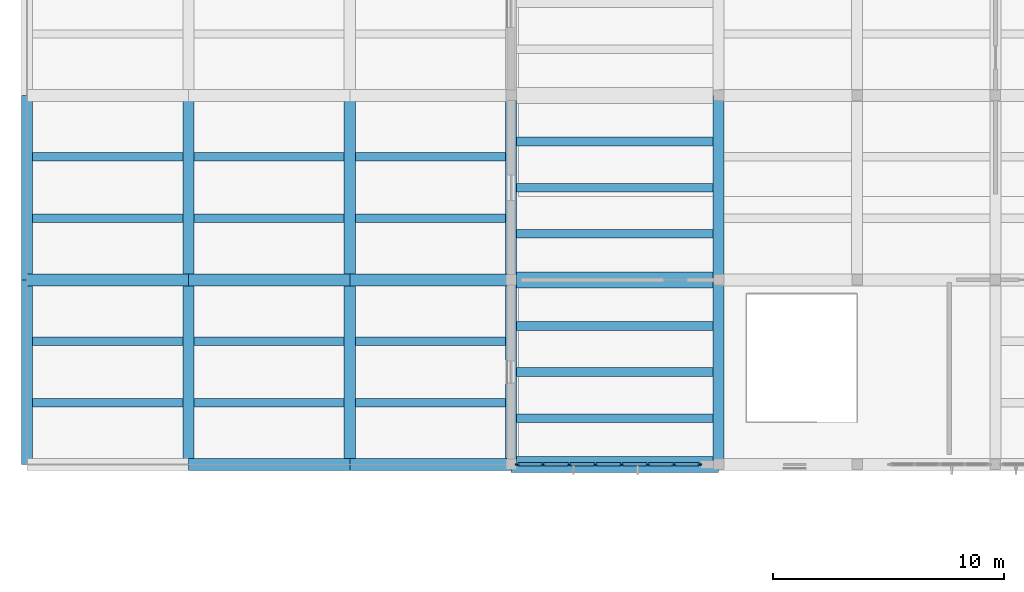
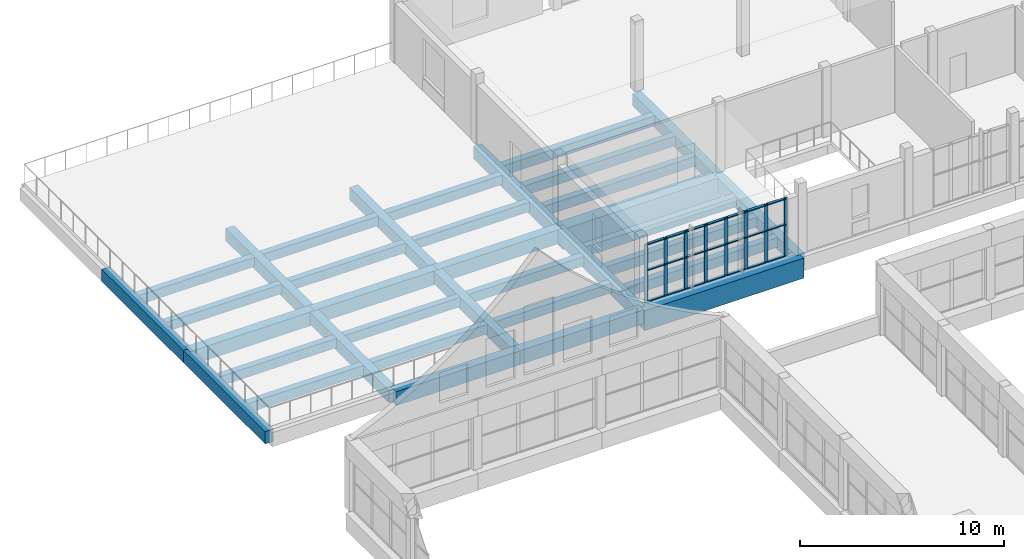
# One storey, part 24 of 70: 35 beams, 29 members, 1 element without a shape of its own.
"""IFC4 building model written with IfcOpenShell, lengths in metres."""

from ifc_helpers import new_model, si_unit, direction, frame, origin, origin_2d, place, context, subcontext, project, spatial, rectangle, extrude, material, layer, layer_set, material_profile, profile_set, type_object, element, aggregate, save


model = new_model("IFC4")

# Units and contexts
model_context = context("Model", 3, precision=1e-05, world=origin(), true_north=direction((0.0, 1.0)))
body_context = subcontext(model_context, "Body", "Model", "MODEL_VIEW")
ifc_project = project(units=[si_unit("LENGTHUNIT", "METRE"), si_unit("AREAUNIT", "SQUARE_METRE"), si_unit("VOLUMEUNIT", "CUBIC_METRE"), si_unit("PLANEANGLEUNIT", "RADIAN"), si_unit("MASSUNIT", "GRAM", prefix="KILO")], contexts=[model_context])

# Site, building, storey
site_placement = place(None, origin())
site = spatial("IfcSite", under=ifc_project, at=site_placement, CompositionType="ELEMENT")
building_placement = place(site_placement, origin())
building = spatial("IfcBuilding", under=site, at=building_placement, Name="Solvane Community Centre", CompositionType="ELEMENT")
storey_placement = place(building_placement, frame((0.0, 0.0, 9.60009765625)))
storey = spatial("IfcBuildingStorey", under=building, at=storey_placement, Name="L02", CompositionType="ELEMENT", Elevation=9.60009765625)

# Curtain wall, members
ifc_material_1 = material(Name="Anodised bronze aluminium AW-6063 T6", Category="aluminium")
ifc_layer = layer(ifc_material_1, 0.18994140625)
ifc_layer_set = layer_set([ifc_layer], Name="Anodised bronze aluminium AW-6063 T6")
curtain_wall_type = type_object("IfcCurtainWallType", Name="Boulevard Bronze Vision Curtain Wall [80x35dm]", PredefinedType="NOTDEFINED", material=ifc_layer_set)
curtain_wall_placement = place(storey_placement, origin())
curtain_wall = element("IfcCurtainWall", 1, at=curtain_wall_placement, inside=storey, type_object=curtain_wall_type, Name="Curtain Wall CW-L02-352_860-214", PredefinedType="NOTDEFINED")
ifc_material_profile_1 = material_profile(ifc_material_1, rectangle(XDim=0.06005859375, YDim=0.18994140625, at=origin_2d()), Name="CW-M 60x190")
ifc_profile_set_1 = profile_set([ifc_material_profile_1], Name="Anodised bronze aluminium AW-6063 T6")
member_type_1 = type_object("IfcMemberType", Name="Boulevard Mullion 60x190", PredefinedType="MULLION", material=ifc_profile_set_1)
member_1_placement = place(storey_placement, frame((35.169921875, 86.0, 0.0), z_axis=(0.0, 0.0, 1.0), x_axis=(0.0, -1.0, 0.0)))
member_1 = element("IfcMember", 2, at=member_1_placement, type_object=member_type_1, Name="CW02-80x35 mullion 1", PredefinedType="MULLION", context=body_context, shape_type="SweptSolid", body=[
    extrude(rectangle(XDim=0.06005859375, YDim=0.18994140625, at=origin_2d()), origin(), (0.0, 0.0, 1.0), 3.46484375),
])
member_2_placement = place(storey_placement, frame((34.0634765625, 86.0, 0.0), z_axis=(0.0, 0.0, 1.0), x_axis=(0.0, -1.0, 0.0)))
member_2 = element("IfcMember", 3, at=member_2_placement, type_object=member_type_1, Name="CW02-80x35 mullion 2", PredefinedType="MULLION", context=body_context, shape_type="SweptSolid", body=[
    extrude(rectangle(XDim=0.06005859375, YDim=0.18994140625, at=origin_2d()), origin(), (0.0, 0.0, 1.0), 3.46484375),
])
member_3_placement = place(storey_placement, frame((32.92724609375, 86.0, 0.0), z_axis=(0.0, 0.0, 1.0), x_axis=(0.0, -1.0, 0.0)))
member_3 = element("IfcMember", 4, at=member_3_placement, type_object=member_type_1, Name="CW02-80x35 mullion 3", PredefinedType="MULLION", context=body_context, shape_type="SweptSolid", body=[
    extrude(rectangle(XDim=0.06005859375, YDim=0.18994140625, at=origin_2d()), origin(), (0.0, 0.0, 1.0), 3.46484375),
])
member_4_placement = place(storey_placement, frame((31.790771484375, 86.0, 0.0), z_axis=(0.0, 0.0, 1.0), x_axis=(0.0, -1.0, 0.0)))
member_4 = element("IfcMember", 5, at=member_4_placement, type_object=member_type_1, Name="CW02-80x35 mullion 4", PredefinedType="MULLION", context=body_context, shape_type="SweptSolid", body=[
    extrude(rectangle(XDim=0.06005859375, YDim=0.18994140625, at=origin_2d()), origin(), (0.0, 0.0, 1.0), 3.46484375),
])
member_5_placement = place(storey_placement, frame((30.654296875, 86.0, 0.0), z_axis=(0.0, 0.0, 1.0), x_axis=(0.0, -1.0, 0.0)))
member_5 = element("IfcMember", 6, at=member_5_placement, type_object=member_type_1, Name="CW02-80x35 mullion 5", PredefinedType="MULLION", context=body_context, shape_type="SweptSolid", body=[
    extrude(rectangle(XDim=0.06005859375, YDim=0.18994140625, at=origin_2d()), origin(), (0.0, 0.0, 1.0), 3.46484375),
])
member_6_placement = place(storey_placement, frame((29.517822265625, 86.0, 0.0), z_axis=(0.0, 0.0, 1.0), x_axis=(0.0, -1.0, 0.0)))
member_6 = element("IfcMember", 7, at=member_6_placement, type_object=member_type_1, Name="CW02-80x35 mullion 6", PredefinedType="MULLION", context=body_context, shape_type="SweptSolid", body=[
    extrude(rectangle(XDim=0.06005859375, YDim=0.18994140625, at=origin_2d()), origin(), (0.0, 0.0, 1.0), 3.46484375),
])
member_7_placement = place(storey_placement, frame((28.38134765625, 86.0, 0.0), z_axis=(0.0, 0.0, 1.0), x_axis=(0.0, -1.0, 0.0)))
member_7 = element("IfcMember", 8, at=member_7_placement, type_object=member_type_1, Name="CW02-80x35 mullion 7", PredefinedType="MULLION", context=body_context, shape_type="SweptSolid", body=[
    extrude(rectangle(XDim=0.06005859375, YDim=0.18994140625, at=origin_2d()), origin(), (0.0, 0.0, 1.0), 3.46484375),
])
member_8_placement = place(storey_placement, frame((27.27490234375, 86.0, 0.0), z_axis=(0.0, 0.0, 1.0), x_axis=(0.0, -1.0, 0.0)))
member_8 = element("IfcMember", 9, at=member_8_placement, type_object=member_type_1, Name="CW02-80x35 mullion 8", PredefinedType="MULLION", context=body_context, shape_type="SweptSolid", body=[
    extrude(rectangle(XDim=0.06005859375, YDim=0.18994140625, at=origin_2d()), origin(), (0.0, 0.0, 1.0), 3.46484375),
])
ifc_material_profile_2 = material_profile(ifc_material_1, rectangle(XDim=0.14990234375, YDim=0.06005859375, at=origin_2d()), Name="CW-T 60x150")
ifc_profile_set_2 = profile_set([ifc_material_profile_2], Name="Anodised bronze aluminium AW-6063 T6")
member_type_2 = type_object("IfcMemberType", Name="Boulevard Transom 60x150", PredefinedType="USERDEFINED", material=ifc_profile_set_2)
member_9_placement = place(storey_placement, frame((35.139892578125, 86.0, 0.02978515625), z_axis=(-1.0, 0.0, 0.0), x_axis=(0.0, -1.0, 0.0)))
member_9 = element("IfcMember", 10, at=member_9_placement, type_object=member_type_2, Name="CW02-80x35 transom 1.1", ObjectType="TRANSOM", PredefinedType="USERDEFINED", context=body_context, shape_type="SweptSolid", body=[
    extrude(rectangle(XDim=0.14990234375, YDim=0.06005859375, at=origin_2d()), origin(), (0.0, 0.0, 1.0), 1.04638671875),
])
member_10_placement = place(storey_placement, frame((35.139892578125, 86.0, 1.906005859375), z_axis=(-1.0, 0.0, 0.0), x_axis=(0.0, -1.0, 0.0)))
member_10 = element("IfcMember", 11, at=member_10_placement, type_object=member_type_2, Name="CW02-80x35 transom 1.2", ObjectType="TRANSOM", PredefinedType="USERDEFINED", context=body_context, shape_type="SweptSolid", body=[
    extrude(rectangle(XDim=0.14990234375, YDim=0.06005859375, at=origin_2d()), origin(), (0.0, 0.0, 1.0), 1.04638671875),
])
member_11_placement = place(storey_placement, frame((35.139892578125, 86.0, 3.434814453125), z_axis=(-1.0, 0.0, 0.0), x_axis=(0.0, -1.0, 0.0)))
member_11 = element("IfcMember", 12, at=member_11_placement, type_object=member_type_2, Name="CW02-80x35 transom 1.3", ObjectType="TRANSOM", PredefinedType="USERDEFINED", context=body_context, shape_type="SweptSolid", body=[
    extrude(rectangle(XDim=0.14990234375, YDim=0.06005859375, at=origin_2d()), origin(), (0.0, 0.0, 1.0), 1.04638671875),
])
member_12_placement = place(storey_placement, frame((34.03369140625, 86.0, 0.02978515625), z_axis=(-1.0, 0.0, 0.0), x_axis=(0.0, -1.0, 0.0)))
member_12 = element("IfcMember", 13, at=member_12_placement, type_object=member_type_2, Name="CW02-80x35 transom 2.1", ObjectType="TRANSOM", PredefinedType="USERDEFINED", context=body_context, shape_type="SweptSolid", body=[
    extrude(rectangle(XDim=0.14990234375, YDim=0.06005859375, at=origin_2d()), origin(), (0.0, 0.0, 1.0), 1.07666015625),
])
member_13_placement = place(storey_placement, frame((34.03369140625, 86.0, 1.906005859375), z_axis=(-1.0, 0.0, 0.0), x_axis=(0.0, -1.0, 0.0)))
member_13 = element("IfcMember", 14, at=member_13_placement, type_object=member_type_2, Name="CW02-80x35 transom 2.2", ObjectType="TRANSOM", PredefinedType="USERDEFINED", context=body_context, shape_type="SweptSolid", body=[
    extrude(rectangle(XDim=0.14990234375, YDim=0.06005859375, at=origin_2d()), origin(), (0.0, 0.0, 1.0), 1.07666015625),
])
member_14_placement = place(storey_placement, frame((34.03369140625, 86.0, 3.434814453125), z_axis=(-1.0, 0.0, 0.0), x_axis=(0.0, -1.0, 0.0)))
member_14 = element("IfcMember", 15, at=member_14_placement, type_object=member_type_2, Name="CW02-80x35 transom 2.3", ObjectType="TRANSOM", PredefinedType="USERDEFINED", context=body_context, shape_type="SweptSolid", body=[
    extrude(rectangle(XDim=0.14990234375, YDim=0.06005859375, at=origin_2d()), origin(), (0.0, 0.0, 1.0), 1.07666015625),
])
member_15_placement = place(storey_placement, frame((32.897216796875, 86.0, 0.02978515625), z_axis=(-1.0, 0.0, 0.0), x_axis=(0.0, -1.0, 0.0)))
member_15 = element("IfcMember", 16, at=member_15_placement, type_object=member_type_2, Name="CW02-80x35 transom 3.1", ObjectType="TRANSOM", PredefinedType="USERDEFINED", context=body_context, shape_type="SweptSolid", body=[
    extrude(rectangle(XDim=0.14990234375, YDim=0.06005859375, at=origin_2d()), origin(), (0.0, 0.0, 1.0), 1.076416015625),
])
member_16_placement = place(storey_placement, frame((32.897216796875, 86.0, 1.906005859375), z_axis=(-1.0, 0.0, 0.0), x_axis=(0.0, -1.0, 0.0)))
member_16 = element("IfcMember", 17, at=member_16_placement, type_object=member_type_2, Name="CW02-80x35 transom 3.2", ObjectType="TRANSOM", PredefinedType="USERDEFINED", context=body_context, shape_type="SweptSolid", body=[
    extrude(rectangle(XDim=0.14990234375, YDim=0.06005859375, at=origin_2d()), origin(), (0.0, 0.0, 1.0), 1.076416015625),
])
member_17_placement = place(storey_placement, frame((32.897216796875, 86.0, 3.434814453125), z_axis=(-1.0, 0.0, 0.0), x_axis=(0.0, -1.0, 0.0)))
member_17 = element("IfcMember", 18, at=member_17_placement, type_object=member_type_2, Name="CW02-80x35 transom 3.3", ObjectType="TRANSOM", PredefinedType="USERDEFINED", context=body_context, shape_type="SweptSolid", body=[
    extrude(rectangle(XDim=0.14990234375, YDim=0.06005859375, at=origin_2d()), origin(), (0.0, 0.0, 1.0), 1.076416015625),
])
member_18_placement = place(storey_placement, frame((31.7607421875, 86.0, 0.02978515625), z_axis=(-1.0, 0.0, 0.0), x_axis=(0.0, -1.0, 0.0)))
member_18 = element("IfcMember", 19, at=member_18_placement, type_object=member_type_2, Name="CW02-80x35 transom 4.1", ObjectType="TRANSOM", PredefinedType="USERDEFINED", context=body_context, shape_type="SweptSolid", body=[
    extrude(rectangle(XDim=0.14990234375, YDim=0.06005859375, at=origin_2d()), origin(), (0.0, 0.0, 1.0), 1.076416015625),
])
member_19_placement = place(storey_placement, frame((31.7607421875, 86.0, 1.906005859375), z_axis=(-1.0, 0.0, 0.0), x_axis=(0.0, -1.0, 0.0)))
member_19 = element("IfcMember", 20, at=member_19_placement, type_object=member_type_2, Name="CW02-80x35 transom 4.2", ObjectType="TRANSOM", PredefinedType="USERDEFINED", context=body_context, shape_type="SweptSolid", body=[
    extrude(rectangle(XDim=0.14990234375, YDim=0.06005859375, at=origin_2d()), origin(), (0.0, 0.0, 1.0), 1.076416015625),
])
member_20_placement = place(storey_placement, frame((31.7607421875, 86.0, 3.434814453125), z_axis=(-1.0, 0.0, 0.0), x_axis=(0.0, -1.0, 0.0)))
member_20 = element("IfcMember", 21, at=member_20_placement, type_object=member_type_2, Name="CW02-80x35 transom 4.3", ObjectType="TRANSOM", PredefinedType="USERDEFINED", context=body_context, shape_type="SweptSolid", body=[
    extrude(rectangle(XDim=0.14990234375, YDim=0.06005859375, at=origin_2d()), origin(), (0.0, 0.0, 1.0), 1.076416015625),
])
member_21_placement = place(storey_placement, frame((30.624267578125, 86.0, 0.02978515625), z_axis=(-1.0, 0.0, 0.0), x_axis=(0.0, -1.0, 0.0)))
member_21 = element("IfcMember", 22, at=member_21_placement, type_object=member_type_2, Name="CW02-80x35 transom 5.1", ObjectType="TRANSOM", PredefinedType="USERDEFINED", context=body_context, shape_type="SweptSolid", body=[
    extrude(rectangle(XDim=0.14990234375, YDim=0.06005859375, at=origin_2d()), origin(), (0.0, 0.0, 1.0), 1.076416015625),
])
member_22_placement = place(storey_placement, frame((30.624267578125, 86.0, 1.906005859375), z_axis=(-1.0, 0.0, 0.0), x_axis=(0.0, -1.0, 0.0)))
member_22 = element("IfcMember", 23, at=member_22_placement, type_object=member_type_2, Name="CW02-80x35 transom 5.2", ObjectType="TRANSOM", PredefinedType="USERDEFINED", context=body_context, shape_type="SweptSolid", body=[
    extrude(rectangle(XDim=0.14990234375, YDim=0.06005859375, at=origin_2d()), origin(), (0.0, 0.0, 1.0), 1.076416015625),
])
member_23_placement = place(storey_placement, frame((30.624267578125, 86.0, 3.434814453125), z_axis=(-1.0, 0.0, 0.0), x_axis=(0.0, -1.0, 0.0)))
member_23 = element("IfcMember", 24, at=member_23_placement, type_object=member_type_2, Name="CW02-80x35 transom 5.3", ObjectType="TRANSOM", PredefinedType="USERDEFINED", context=body_context, shape_type="SweptSolid", body=[
    extrude(rectangle(XDim=0.14990234375, YDim=0.06005859375, at=origin_2d()), origin(), (0.0, 0.0, 1.0), 1.076416015625),
])
member_24_placement = place(storey_placement, frame((29.48779296875, 86.0, 0.02978515625), z_axis=(-1.0, 0.0, 0.0), x_axis=(0.0, -1.0, 0.0)))
member_24 = element("IfcMember", 25, at=member_24_placement, type_object=member_type_2, Name="CW02-80x35 transom 6.1", ObjectType="TRANSOM", PredefinedType="USERDEFINED", context=body_context, shape_type="SweptSolid", body=[
    extrude(rectangle(XDim=0.14990234375, YDim=0.06005859375, at=origin_2d()), origin(), (0.0, 0.0, 1.0), 1.076416015625),
])
member_25_placement = place(storey_placement, frame((29.48779296875, 86.0, 1.906005859375), z_axis=(-1.0, 0.0, 0.0), x_axis=(0.0, -1.0, 0.0)))
member_25 = element("IfcMember", 26, at=member_25_placement, type_object=member_type_2, Name="CW02-80x35 transom 6.2", ObjectType="TRANSOM", PredefinedType="USERDEFINED", context=body_context, shape_type="SweptSolid", body=[
    extrude(rectangle(XDim=0.14990234375, YDim=0.06005859375, at=origin_2d()), origin(), (0.0, 0.0, 1.0), 1.076416015625),
])
member_26_placement = place(storey_placement, frame((29.48779296875, 86.0, 3.434814453125), z_axis=(-1.0, 0.0, 0.0), x_axis=(0.0, -1.0, 0.0)))
member_26 = element("IfcMember", 27, at=member_26_placement, type_object=member_type_2, Name="CW02-80x35 transom 6.3", ObjectType="TRANSOM", PredefinedType="USERDEFINED", context=body_context, shape_type="SweptSolid", body=[
    extrude(rectangle(XDim=0.14990234375, YDim=0.06005859375, at=origin_2d()), origin(), (0.0, 0.0, 1.0), 1.076416015625),
])
member_27_placement = place(storey_placement, frame((28.351318359375, 86.0, 0.02978515625), z_axis=(-1.0, 0.0, 0.0), x_axis=(0.0, -1.0, 0.0)))
member_27 = element("IfcMember", 28, at=member_27_placement, type_object=member_type_2, Name="CW02-80x35 transom 7.1", ObjectType="TRANSOM", PredefinedType="USERDEFINED", context=body_context, shape_type="SweptSolid", body=[
    extrude(rectangle(XDim=0.14990234375, YDim=0.06005859375, at=origin_2d()), origin(), (0.0, 0.0, 1.0), 1.04638671875),
])
member_28_placement = place(storey_placement, frame((28.351318359375, 86.0, 1.906005859375), z_axis=(-1.0, 0.0, 0.0), x_axis=(0.0, -1.0, 0.0)))
member_28 = element("IfcMember", 29, at=member_28_placement, type_object=member_type_2, Name="CW02-80x35 transom 7.2", ObjectType="TRANSOM", PredefinedType="USERDEFINED", context=body_context, shape_type="SweptSolid", body=[
    extrude(rectangle(XDim=0.14990234375, YDim=0.06005859375, at=origin_2d()), origin(), (0.0, 0.0, 1.0), 1.04638671875),
])
member_29_placement = place(storey_placement, frame((28.351318359375, 86.0, 3.434814453125), z_axis=(-1.0, 0.0, 0.0), x_axis=(0.0, -1.0, 0.0)))
member_29 = element("IfcMember", 30, at=member_29_placement, type_object=member_type_2, Name="CW02-80x35 transom 7.3", ObjectType="TRANSOM", PredefinedType="USERDEFINED", context=body_context, shape_type="SweptSolid", body=[
    extrude(rectangle(XDim=0.14990234375, YDim=0.06005859375, at=origin_2d()), origin(), (0.0, 0.0, 1.0), 1.04638671875),
])
aggregate(curtain_wall, [member_1, member_2, member_3, member_4, member_5, member_6, member_7, member_8, member_9, member_10, member_11, member_12, member_13, member_14, member_15, member_16, member_17, member_18, member_19, member_20, member_21, member_22, member_23, member_24, member_25, member_26, member_27, member_28, member_29])

# Beams
ifc_material_2 = material(Name="Concrete C35/45", Category="concrete")
ifc_material_profile_3 = material_profile(ifc_material_2, rectangle(XDim=0.47998046875, YDim=0.739990234375, at=origin_2d()), Name="RC 480x740")
ifc_profile_set_3 = profile_set([ifc_material_profile_3], Name="Concrete C35/45")
beam_type_1 = type_object("IfcBeamType", Name="RC Bay Beam 480x740", PredefinedType="BEAM", material=ifc_profile_set_3)
for number, where, z_axis, x_axis, name in (
    (31, (6.0, 86.0, -0.590087890625), (0.0, 1.0, 0.0), (-1.0, 0.0, 0.0), "Beam BM-L02-60_860-60_940"),
    (32, (6.0, 94.0, -0.590087890625), (0.0, 1.0, 0.0), (-1.0, 0.0, 0.0), "Beam BM-L02-60_940-60_1020"),
    (33, (13.0, 86.0, -0.590087890625), (0.0, 1.0, 0.0), (-1.0, 0.0, 0.0), "Beam BM-L02-130_860-130_940"),
    (34, (13.0, 94.0, -0.590087890625), (0.0, 1.0, 0.0), (-1.0, 0.0, 0.0), "Beam BM-L02-130_940-130_1020"),
    (35, (20.0, 86.0, -0.590087890625), (0.0, 1.0, 0.0), (-1.0, 0.0, 0.0), "Beam BM-L02-200_860-200_940"),
    (36, (20.0, 94.0, -0.590087890625), (0.0, 1.0, 0.0), (-1.0, 0.0, 0.0), "Beam BM-L02-200_940-200_1020"),
    (37, (27.0, 86.0, -0.590087890625), (0.0, 1.0, 0.0), (-1.0, 0.0, 0.0), "Beam BM-L02-270_860-270_940"),
    (38, (27.0, 94.0, -0.590087890625), (0.0, 1.0, 0.0), (-1.0, 0.0, 0.0), "Beam BM-L02-270_940-270_1020"),
    (39, (36.0, 86.0, -0.590087890625), (0.0, 1.0, 0.0), (-1.0, 0.0, 0.0), "Beam BM-L02-360_860-360_940"),
    (40, (36.0, 94.0, -0.590087890625), (0.0, 1.0, 0.0), (-1.0, 0.0, 0.0), "Beam BM-L02-360_940-360_1020"),
):
    element("IfcBeam", number, at=place(storey_placement, frame(where, z_axis=z_axis, x_axis=x_axis)), inside=storey, type_object=beam_type_1, Name=name, PredefinedType="BEAM", context=body_context, shape_type="SweptSolid", body=[
        extrude(rectangle(XDim=0.47998046875, YDim=0.739990234375, at=origin_2d()), origin(), (0.0, 0.0, 1.0), 8.0),
    ])
ifc_material_profile_4 = material_profile(ifc_material_2, rectangle(XDim=0.52001953125, YDim=0.830078125, at=origin_2d()), Name="RC 520x830")
ifc_profile_set_4 = profile_set([ifc_material_profile_4], Name="Concrete C35/45")
beam_type_2 = type_object("IfcBeamType", Name="RC Medium Girder 520x830", PredefinedType="USERDEFINED", material=ifc_profile_set_4)
for number, where, z_axis, x_axis, name in (
    (41, (13.0, 86.0, -0.635009765625), (1.0, 0.0, 0.0), (0.0, 1.0, 0.0), "Beam BM-L02-130_860-200_860"),
    (42, (20.0, 86.0, -0.635009765625), (1.0, 0.0, 0.0), (0.0, 1.0, 0.0), "Beam BM-L02-200_860-270_860"),
    (43, (6.0, 94.0, -0.635009765625), (1.0, 0.0, 0.0), (0.0, 1.0, 0.0), "Beam BM-L02-60_940-130_940"),
    (44, (13.0, 94.0, -0.635009765625), (1.0, 0.0, 0.0), (0.0, 1.0, 0.0), "Beam BM-L02-130_940-200_940"),
    (45, (20.0, 94.0, -0.635009765625), (1.0, 0.0, 0.0), (0.0, 1.0, 0.0), "Beam BM-L02-200_940-270_940"),
):
    element("IfcBeam", number, at=place(storey_placement, frame(where, z_axis=z_axis, x_axis=x_axis)), inside=storey, type_object=beam_type_2, Name=name, ObjectType="GIRDER", PredefinedType="USERDEFINED", context=body_context, shape_type="SweptSolid", body=[
        extrude(rectangle(XDim=0.52001953125, YDim=0.830078125, at=origin_2d()), origin(), (0.0, 0.0, 1.0), 7.0),
    ])
ifc_material_profile_5 = material_profile(ifc_material_2, rectangle(XDim=0.3798828125, YDim=0.580078125, at=origin_2d()), Name="RC 380x580")
ifc_profile_set_5 = profile_set([ifc_material_profile_5], Name="Concrete C35/45")
beam_type_3 = type_object("IfcBeamType", Name="RC Short Joist 380x580", PredefinedType="JOIST", material=ifc_profile_set_5)
for number, where, z_axis, x_axis, name in (
    (46, (27.239990234375, 88.0, -0.510009765625), (1.0, 0.0, 0.0), (0.0, 1.0, 0.0), "Beam BM-L02-272_880-358_880"),
    (47, (27.239990234375, 90.0, -0.510009765625), (1.0, 0.0, 0.0), (0.0, 1.0, 0.0), "Beam BM-L02-272_900-358_900"),
    (48, (27.239990234375, 92.0, -0.510009765625), (1.0, 0.0, 0.0), (0.0, 1.0, 0.0), "Beam BM-L02-272_920-358_920"),
    (49, (27.239990234375, 96.0, -0.510009765625), (1.0, 0.0, 0.0), (0.0, 1.0, 0.0), "Beam BM-L02-272_960-358_960"),
    (50, (27.239990234375, 98.0, -0.510009765625), (1.0, 0.0, 0.0), (0.0, 1.0, 0.0), "Beam BM-L02-272_980-358_980"),
    (51, (27.239990234375, 100.0, -0.510009765625), (1.0, 0.0, 0.0), (0.0, 1.0, 0.0), "Beam BM-L02-272_1000-358_1000"),
):
    element("IfcBeam", number, at=place(storey_placement, frame(where, z_axis=z_axis, x_axis=x_axis)), inside=storey, type_object=beam_type_3, Name=name, PredefinedType="JOIST", context=body_context, shape_type="SweptSolid", body=[
        extrude(rectangle(XDim=0.3798828125, YDim=0.580078125, at=origin_2d()), origin(), (0.0, 0.0, 1.0), 8.52001953125),
    ])
ifc_material_profile_6 = material_profile(ifc_material_2, rectangle(XDim=0.360107421875, YDim=0.56005859375, at=origin_2d()), Name="RC 360x560")
ifc_profile_set_6 = profile_set([ifc_material_profile_6], Name="Concrete C35/45")
beam_type_4 = type_object("IfcBeamType", Name="RC Terrace Joist 360x560", PredefinedType="JOIST", material=ifc_profile_set_6)
for number, where, z_axis, x_axis, name in (
    (52, (6.239990234375, 88.666748046875, -0.5), (1.0, 0.0, 0.0), (0.0, 1.0, 0.0), "Beam BM-L02-62_887-128_887"),
    (53, (6.239990234375, 91.333251953125, -0.5), (1.0, 0.0, 0.0), (0.0, 1.0, 0.0), "Beam BM-L02-62_913-128_913"),
    (54, (6.239990234375, 96.666748046875, -0.5), (1.0, 0.0, 0.0), (0.0, 1.0, 0.0), "Beam BM-L02-62_967-128_967"),
    (55, (6.239990234375, 99.333251953125, -0.5), (1.0, 0.0, 0.0), (0.0, 1.0, 0.0), "Beam BM-L02-62_993-128_993"),
    (56, (13.239990234375, 88.666748046875, -0.5), (1.0, 0.0, 0.0), (0.0, 1.0, 0.0), "Beam BM-L02-132_887-198_887"),
    (57, (13.239990234375, 91.333251953125, -0.5), (1.0, 0.0, 0.0), (0.0, 1.0, 0.0), "Beam BM-L02-132_913-198_913"),
    (58, (13.239990234375, 96.666748046875, -0.5), (1.0, 0.0, 0.0), (0.0, 1.0, 0.0), "Beam BM-L02-132_967-198_967"),
    (59, (13.239990234375, 99.333251953125, -0.5), (1.0, 0.0, 0.0), (0.0, 1.0, 0.0), "Beam BM-L02-132_993-198_993"),
    (60, (20.239990234375, 88.666748046875, -0.5), (1.0, 0.0, 0.0), (0.0, 1.0, 0.0), "Beam BM-L02-202_887-268_887"),
    (61, (20.239990234375, 91.333251953125, -0.5), (1.0, 0.0, 0.0), (0.0, 1.0, 0.0), "Beam BM-L02-202_913-268_913"),
    (62, (20.239990234375, 96.666748046875, -0.5), (1.0, 0.0, 0.0), (0.0, 1.0, 0.0), "Beam BM-L02-202_967-268_967"),
    (63, (20.239990234375, 99.333251953125, -0.5), (1.0, 0.0, 0.0), (0.0, 1.0, 0.0), "Beam BM-L02-202_993-268_993"),
):
    element("IfcBeam", number, at=place(storey_placement, frame(where, z_axis=z_axis, x_axis=x_axis)), inside=storey, type_object=beam_type_4, Name=name, PredefinedType="JOIST", context=body_context, shape_type="SweptSolid", body=[
        extrude(rectangle(XDim=0.360107421875, YDim=0.56005859375, at=origin_2d()), origin(), (0.0, 0.0, 1.0), 6.52001953125),
    ])
ifc_material_profile_7 = material_profile(ifc_material_2, rectangle(XDim=0.699951171875, YDim=1.199951171875, at=origin_2d()), Name="RC 700x1200")
ifc_profile_set_7 = profile_set([ifc_material_profile_7], Name="Concrete C35/45")
beam_type_5 = type_object("IfcBeamType", Name="RC Transfer Girder 700x1200", PredefinedType="USERDEFINED", material=ifc_profile_set_7)
for number, where, z_axis, x_axis, name in (
    (64, (27.0, 86.0, -0.820068359375), (1.0, 0.0, 0.0), (0.0, 1.0, 0.0), "Beam BM-L02-270_860-360_860"),
    (65, (27.0, 94.0, -0.820068359375), (1.0, 0.0, 0.0), (0.0, 1.0, 0.0), "Beam BM-L02-270_940-360_940"),
):
    element("IfcBeam", number, at=place(storey_placement, frame(where, z_axis=z_axis, x_axis=x_axis)), inside=storey, type_object=beam_type_5, Name=name, ObjectType="GIRDER", PredefinedType="USERDEFINED", context=body_context, shape_type="SweptSolid", body=[
        extrude(rectangle(XDim=0.699951171875, YDim=1.199951171875, at=origin_2d()), origin(), (0.0, 0.0, 1.0), 9.0),
    ])

save(model, "model.ifc")
